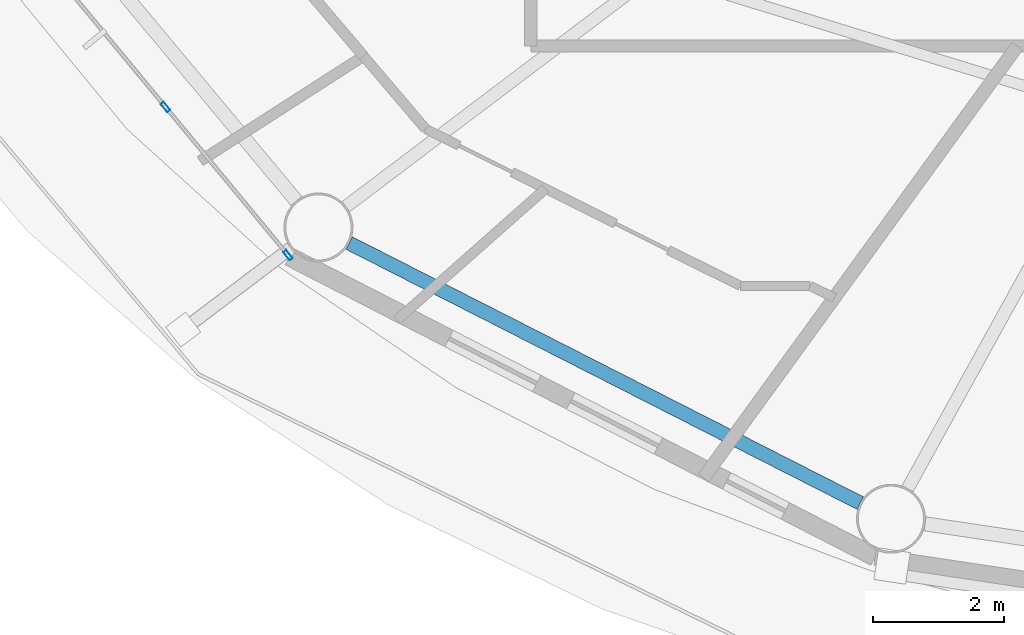
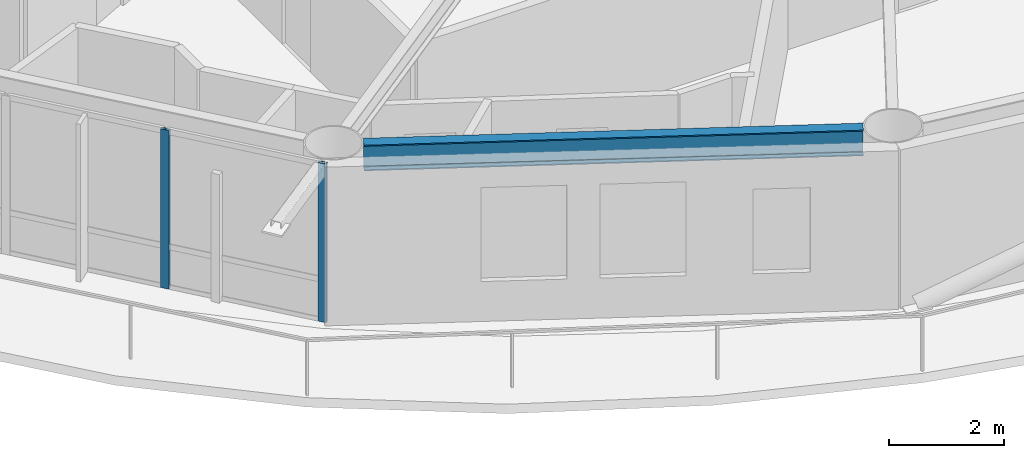
# One storey, part 2 of 30: 2 members, 1 beam, 1 element without a shape of its own.
"""IFC4 building model written with IfcOpenShell, lengths in metres."""

from ifc_helpers import new_model, si_unit, direction, frame, origin, origin_2d, place, context, subcontext, project, spatial, hollow_rectangle, i_section, extrude, material, layer, layer_set, material_profile, profile_set, type_object, element, aggregate, save


model = new_model("IFC4")

# Units and contexts
model_context = context("Model", 3, precision=1e-05, world=origin(), true_north=direction((0.0, 1.0)))
body_context = subcontext(model_context, "Body", "Model", "MODEL_VIEW")
ifc_project = project(units=[si_unit("LENGTHUNIT", "METRE"), si_unit("AREAUNIT", "SQUARE_METRE"), si_unit("VOLUMEUNIT", "CUBIC_METRE"), si_unit("PLANEANGLEUNIT", "RADIAN"), si_unit("MASSUNIT", "GRAM", prefix="KILO")], contexts=[model_context])

# Site, building, storey
site_placement = place(None, origin())
site = spatial("IfcSite", under=ifc_project, at=site_placement, CompositionType="ELEMENT")
building_placement = place(site_placement, origin())
building = spatial("IfcBuilding", under=site, at=building_placement, Name="Sarneth Arch Tower", CompositionType="ELEMENT")
storey_placement = place(building_placement, frame((0.0, 0.0, 161.39990234375)))
storey = spatial("IfcBuildingStorey", under=building, at=storey_placement, Name="L40", CompositionType="ELEMENT", Elevation=161.39990234375)

# Beam
ifc_material_1 = material(Name="Steel S355", Category="steel")
ifc_material_profile_1 = material_profile(ifc_material_1, i_section(OverallWidth=0.214111328125, OverallDepth=0.549072265625, WebThickness=0.0146484375, FlangeThickness=0.023681640625, FilletRadius=0.01806640625, at=origin_2d()), Name="W530x138")
ifc_profile_set_1 = profile_set([ifc_material_profile_1], Name="Steel S355")
beam_type = type_object("IfcBeamType", Name="BM-RAD-530A", PredefinedType="BEAM", material=ifc_profile_set_1)
beam_placement = place(storey_placement, frame((29.334228515625, 27.301513671875, 3.105712890625), z_axis=(0.891254220899, -0.453504039374, 0.0), x_axis=(0.453504039374, 0.891254220899, 0.0)))
element("IfcBeam", 1, at=beam_placement, inside=storey, type_object=beam_type, Name="L40 Perimeter spandrel beam 11", PredefinedType="BEAM", context=body_context, shape_type="SweptSolid", body=[
    extrude(i_section(OverallWidth=0.214111328125, OverallDepth=0.549072265625, WebThickness=0.0146484375, FlangeThickness=0.023681640625, FilletRadius=0.01806640625, at=origin_2d()), origin(), (0.0, 0.0, 1.0), 8.724853515625),
])

# Curtain wall, members
ifc_material_2 = material(Name="Anodised aluminium Type AA25 and solar-control low-e laminated IGU", Category="aluminium")
ifc_layer = layer(ifc_material_2, 0.169921875)
ifc_layer_set = layer_set([ifc_layer], Name="Anodised aluminium Type AA25 and solar-control low-e laminated IGU")
curtain_wall_type = type_object("IfcCurtainWallType", Name="CW-RES-MID", PredefinedType="NOTDEFINED", material=ifc_layer_set)
curtain_wall_placement = place(storey_placement, origin())
curtain_wall = element("IfcCurtainWall", 2, at=curtain_wall_placement, inside=storey, type_object=curtain_wall_type, Name="L40 Unitised curtain wall facet 10", PredefinedType="NOTDEFINED")
ifc_material_3 = material(Name="Anodised Aluminium 6063-T6", Category="aluminium")
ifc_material_profile_2 = material_profile(ifc_material_3, hollow_rectangle(XDim=0.06005859375, YDim=0.159912109375, WallThickness=0.00390625, at=origin_2d()), Name="AL-MULL-160x60x4")
ifc_profile_set_2 = profile_set([ifc_material_profile_2], Name="Anodised Aluminium 6063-T6")
member_type = type_object("IfcMemberType", Name="CW-MULLION", PredefinedType="MULLION", material=ifc_profile_set_2)
member_1_placement = place(storey_placement, frame((26.53857421875, 29.373779296875, 0.0), z_axis=(0.0, 0.0, 1.0), x_axis=(0.770590741276, 0.637330298558, 0.0)))
member_1 = element("IfcMember", 3, at=member_1_placement, type_object=member_type, Name="CW-SYS-5 mullion 3", PredefinedType="MULLION", context=body_context, shape_type="SweptSolid", body=[
    extrude(hollow_rectangle(XDim=0.06005859375, YDim=0.159912109375, WallThickness=0.00390625, at=origin_2d()), origin(), (0.0, 0.0, 1.0), 3.380126953125),
])
member_2_placement = place(storey_placement, frame((28.40478515625, 27.1171875, 0.0), z_axis=(0.0, 0.0, 1.0), x_axis=(0.770590741276, 0.637330298558, 0.0)))
member_2 = element("IfcMember", 4, at=member_2_placement, type_object=member_type, Name="CW-SYS-5 mullion 4", PredefinedType="MULLION", context=body_context, shape_type="SweptSolid", body=[
    extrude(hollow_rectangle(XDim=0.06005859375, YDim=0.159912109375, WallThickness=0.00390625, at=origin_2d()), origin(), (0.0, 0.0, 1.0), 3.380126953125),
])
aggregate(curtain_wall, [member_1, member_2])

save(model, "model.ifc")
